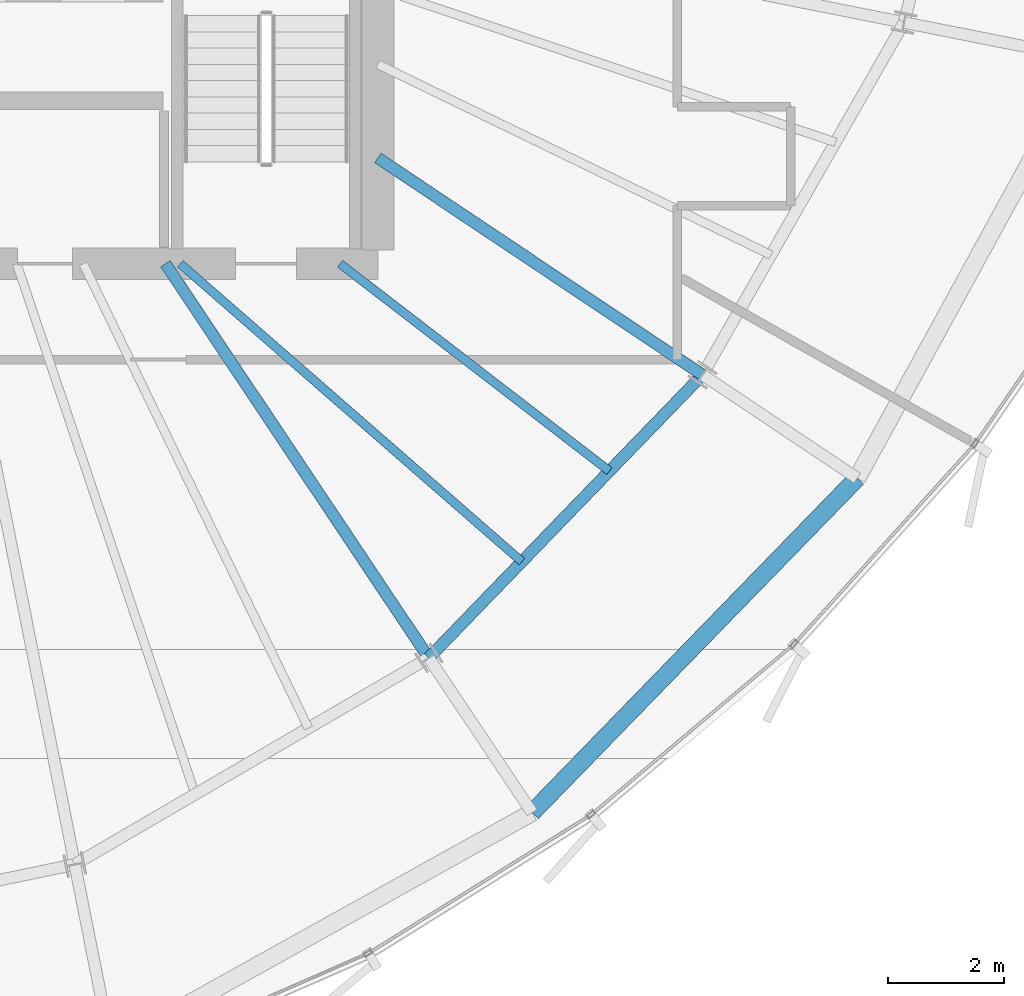
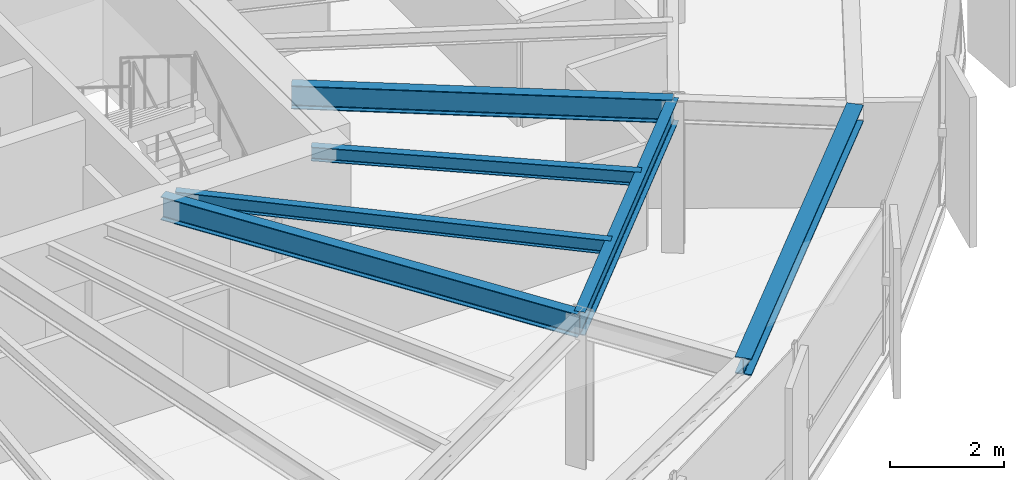
# One storey, part 14 of 35: 6 beams.
"""IFC4 building model written with IfcOpenShell, lengths in metres."""

from ifc_helpers import new_model, si_unit, direction, frame, origin, origin_2d, place, context, subcontext, project, spatial, i_section, extrude, source, transform, mapped, material, material_profile, profile_set, type_object, element, save


model = new_model("IFC4")

# Units and contexts
model_context = context("Model", 3, precision=1e-05, world=origin(), true_north=direction((0.0, 1.0)))
body_context = subcontext(model_context, "Body", "Model", "MODEL_VIEW")
ifc_project = project(units=[si_unit("LENGTHUNIT", "METRE"), si_unit("AREAUNIT", "SQUARE_METRE"), si_unit("VOLUMEUNIT", "CUBIC_METRE"), si_unit("PLANEANGLEUNIT", "RADIAN"), si_unit("MASSUNIT", "GRAM", prefix="KILO"), si_unit("THERMODYNAMICTEMPERATUREUNIT", "KELVIN")], contexts=[model_context])

# Site, building, storey
site_placement = place(None, origin())
site = spatial("IfcSite", under=ifc_project, at=site_placement, CompositionType="ELEMENT")
building_placement = place(site_placement, origin())
building = spatial("IfcBuilding", under=site, at=building_placement, Name="Kethvar Cultural Tower", CompositionType="ELEMENT")
storey_placement = place(building_placement, frame((0.0, 0.0, 179.89990234375)))
storey = spatial("IfcBuildingStorey", under=building, at=storey_placement, Name="L46", CompositionType="ELEMENT", Elevation=179.89990234375)

# Beams
ifc_material = material(Name="Steel S355J2", Category="steel")
ifc_material_profile_1 = material_profile(ifc_material, i_section(OverallWidth=0.199951171875, OverallDepth=0.5, WebThickness=0.01025390625, FlangeThickness=0.01611328125, FilletRadius=0.02099609375, at=origin_2d()), Name="Steel S355J2 — IPE500")
ifc_profile_set_1 = profile_set([ifc_material_profile_1], Name="Steel S355J2 — IPE500")
beam_type_1 = type_object("IfcBeamType", Name="BM-IPE500", PredefinedType="BEAM", material=ifc_profile_set_1)
shared_shape_1 = source(origin(), body_context, "Body", "SweptSolid", [
    extrude(i_section(OverallWidth=0.199951171875, OverallDepth=0.5, WebThickness=0.01025390625, FlangeThickness=0.01611328125, FilletRadius=0.02099609375, at=origin_2d()), origin(), (0.0, 0.0, 1.0), 8.1533203125),
])
beam_1_placement = place(storey_placement, frame((51.945068359375, 20.10009765625, 3.008056640625), z_axis=(0.555549853936, -0.831483228809, 0.0), x_axis=(0.831483228809, 0.555549853936, 0.0)))
element("IfcBeam", 1, at=beam_1_placement, inside=storey, type_object=beam_type_1, Name="L46 Primary Radial Beam RB-14", PredefinedType="BEAM", context=body_context, shape_type="MappedRepresentation", body=[
    mapped(shared_shape_1, transform((0.0, 0.0, 0.0), scale=1.0)),
])
shared_shape_2 = source(origin(), body_context, "Body", "SweptSolid", [
    extrude(i_section(OverallWidth=0.199951171875, OverallDepth=0.5, WebThickness=0.01025390625, FlangeThickness=0.01611328125, FilletRadius=0.02099609375, at=origin_2d()), origin(), (0.0, 0.0, 1.0), 6.7138671875),
])
beam_2_placement = place(storey_placement, frame((55.60009765625, 21.919921875, 3.008056640625), z_axis=(0.831479232731, -0.555555834762, 0.0), x_axis=(0.555555834762, 0.831479232731, 0.0)))
element("IfcBeam", 2, at=beam_2_placement, inside=storey, type_object=beam_type_1, Name="L46 Primary Radial Beam RB-15", PredefinedType="BEAM", context=body_context, shape_type="MappedRepresentation", body=[
    mapped(shared_shape_2, transform((0.0, 0.0, 0.0), scale=1.0)),
])
shared_shape_3 = source(origin(), body_context, "Body", "SweptSolid", [
    extrude(i_section(OverallWidth=0.199951171875, OverallDepth=0.5, WebThickness=0.01025390625, FlangeThickness=0.01611328125, FilletRadius=0.02099609375, at=origin_2d()), origin(), (0.0, 0.0, 1.0), 6.77294921875),
])
beam_3_placement = place(storey_placement, frame((56.474609375, 13.32080078125, 3.008056640625), z_axis=(0.695111533644, 0.718901909717, 0.0), x_axis=(-0.718901909717, 0.695111533644, 0.0)))
element("IfcBeam", 3, at=beam_3_placement, inside=storey, type_object=beam_type_1, Name="L46 Column Ring Tie Beam CR-14", PredefinedType="BEAM", context=body_context, shape_type="MappedRepresentation", body=[
    mapped(shared_shape_3, transform((0.0, 0.0, 0.0), scale=1.0)),
])
ifc_material_profile_2 = material_profile(ifc_material, i_section(OverallWidth=0.300048828125, OverallDepth=0.360107421875, WebThickness=0.012451171875, FlangeThickness=0.0224609375, FilletRadius=0.027099609375, at=origin_2d()), Name="Steel S355J2 — HEB360")
ifc_profile_set_2 = profile_set([ifc_material_profile_2], Name="Steel S355J2 — HEB360")
beam_type_2 = type_object("IfcBeamType", Name="BM-SP360", PredefinedType="SPANDREL", material=ifc_profile_set_2)
shared_shape_4 = source(origin(), body_context, "Body", "SweptSolid", [
    extrude(i_section(OverallWidth=0.300048828125, OverallDepth=0.360107421875, WebThickness=0.012451171875, FlangeThickness=0.0224609375, FilletRadius=0.027099609375, at=origin_2d()), origin(), (0.0, 0.0, 1.0), 8.021240234375),
])
beam_4_placement = place(storey_placement, frame((58.25244140625, 10.66015625, 3.078125), z_axis=(0.696991461782, 0.71707942531, 0.0), x_axis=(-0.71707942531, 0.696991461782, 0.0)))
element("IfcBeam", 4, at=beam_4_placement, inside=storey, type_object=beam_type_2, Name="L46 Perimeter Spandrel Beam SP-14", PredefinedType="SPANDREL", context=body_context, shape_type="MappedRepresentation", body=[
    mapped(shared_shape_4, transform((0.0, 0.0, 0.0), scale=1.0)),
])
ifc_material_profile_3 = material_profile(ifc_material, i_section(OverallWidth=0.14990234375, OverallDepth=0.300048828125, WebThickness=0.007080078125, FlangeThickness=0.0107421875, FilletRadius=0.014892578125, at=origin_2d()), Name="Steel S355J2 — IPE300")
ifc_profile_set_3 = profile_set([ifc_material_profile_3], Name="Steel S355J2 — IPE300")
beam_type_3 = type_object("IfcBeamType", Name="BM-J300", PredefinedType="JOIST", material=ifc_profile_set_3)
shared_shape_5 = source(origin(), body_context, "Body", "SweptSolid", [
    extrude(i_section(OverallWidth=0.14990234375, OverallDepth=0.300048828125, WebThickness=0.007080078125, FlangeThickness=0.0107421875, FilletRadius=0.014892578125, at=origin_2d()), origin(), (0.0, 0.0, 1.0), 7.7958984375),
])
beam_5_placement = place(storey_placement, frame((52.199951171875, 20.10009765625, 3.108154296875), z_axis=(0.753673681644, -0.657248797335, 0.0), x_axis=(0.657248797335, 0.753673681644, 0.0)))
element("IfcBeam", 5, at=beam_5_placement, inside=storey, type_object=beam_type_3, Name="L46 Composite Floor Joist J-14A", PredefinedType="JOIST", context=body_context, shape_type="MappedRepresentation", body=[
    mapped(shared_shape_5, transform((0.0, 0.0, 0.0), scale=1.0)),
])
shared_shape_6 = source(origin(), body_context, "Body", "SweptSolid", [
    extrude(i_section(OverallWidth=0.14990234375, OverallDepth=0.300048828125, WebThickness=0.007080078125, FlangeThickness=0.0107421875, FilletRadius=0.014892578125, at=origin_2d()), origin(), (0.0, 0.0, 1.0), 5.84521484375),
])
beam_6_placement = place(storey_placement, frame((54.949951171875, 20.10009765625, 3.108154296875), z_axis=(0.792398798307, -0.610003397073, 0.0), x_axis=(0.610003397073, 0.792398798307, 0.0)))
element("IfcBeam", 6, at=beam_6_placement, inside=storey, type_object=beam_type_3, Name="L46 Composite Floor Joist J-14B", PredefinedType="JOIST", context=body_context, shape_type="MappedRepresentation", body=[
    mapped(shared_shape_6, transform((0.0, 0.0, 0.0), scale=1.0)),
])

save(model, "model.ifc")
